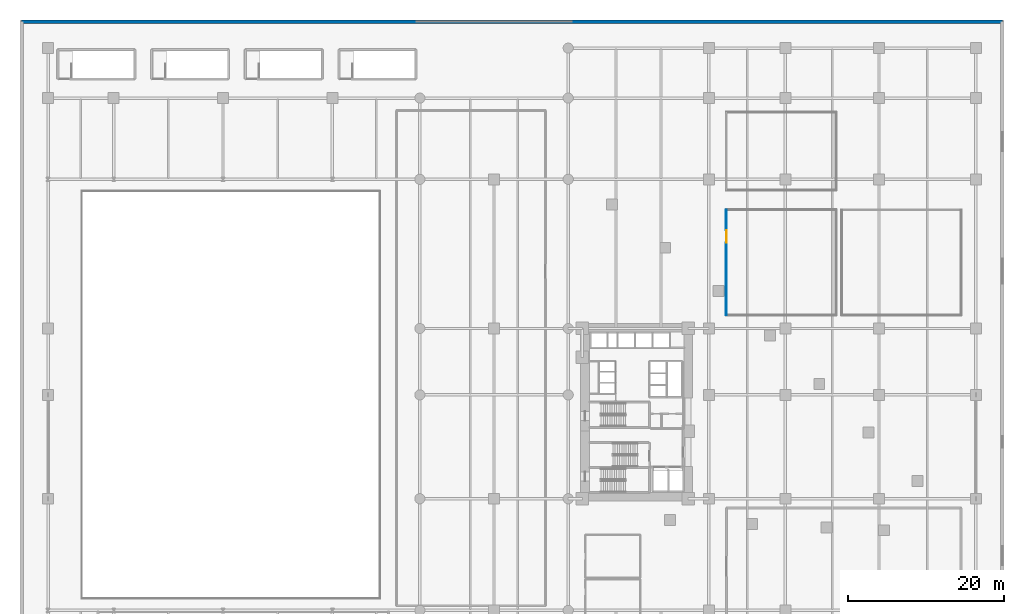
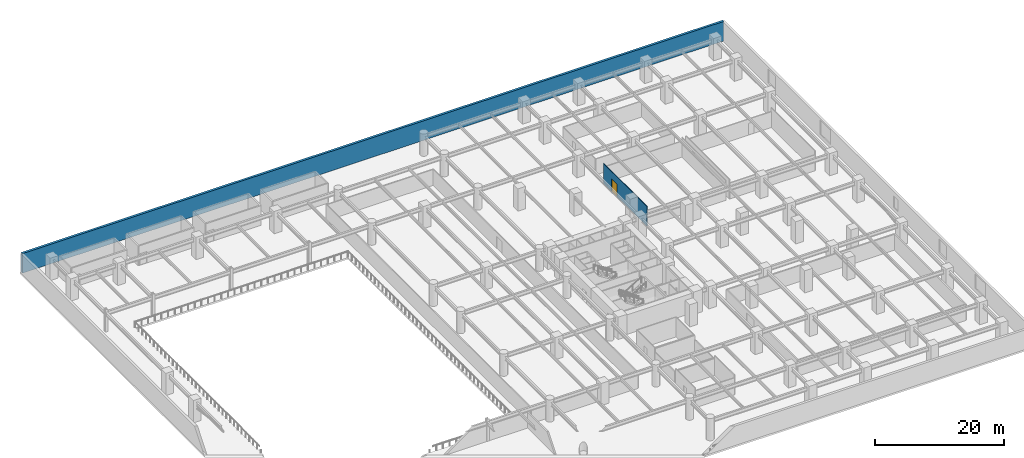
# One storey, part 14 of 20: 2 walls, 1 door, 1 opening.
"""IFC4 building model written with IfcOpenShell, lengths in metres."""

from ifc_helpers import new_model, si_unit, direction, frame, frame_2d, origin, place, context, subcontext, project, spatial, rectangle, extrude, material, layer, layer_set, type_object, element, fill, save


model = new_model("IFC4")

# Units and contexts
model_context = context("Model", 3, precision=1e-05, world=origin(), true_north=direction((0.0, 1.0)))
body_context = subcontext(model_context, "Body", "Model", "MODEL_VIEW")
ifc_project = project(units=[si_unit("LENGTHUNIT", "METRE"), si_unit("AREAUNIT", "SQUARE_METRE"), si_unit("VOLUMEUNIT", "CUBIC_METRE"), si_unit("PLANEANGLEUNIT", "RADIAN"), si_unit("MASSUNIT", "GRAM", prefix="KILO")], contexts=[model_context])

# Site, building, storey
site_placement = place(None, origin())
site = spatial("IfcSite", under=ifc_project, at=site_placement, CompositionType="ELEMENT")
building_placement = place(site_placement, origin())
building = spatial("IfcBuilding", under=site, at=building_placement, Name="Narakoshi Arena Tower", CompositionType="ELEMENT")
storey_placement = place(building_placement, frame((0.0, 0.0, 17.39990234375)))
storey = spatial("IfcBuildingStorey", under=building, at=storey_placement, Name="L04", CompositionType="ELEMENT", Elevation=17.39990234375)

# Wall, opening, door
ifc_material_1 = material(Name="Gypsum plasterboard fire-rated partition")
ifc_layer_1 = layer(ifc_material_1, 0.125)
ifc_layer_set_1 = layer_set([ifc_layer_1], Name="Gypsum plasterboard fire-rated partition")
wall_type_1 = type_object("IfcWallType", Name="WL-PART-125", PredefinedType="PARTITIONING", material=ifc_layer_set_1)
wall_1_placement = place(storey_placement, frame((90.449951171875, 71.699951171875, 0.0), z_axis=(0.0, 0.0, 1.0), x_axis=(0.0, -1.0, 0.0)))
wall_1 = element("IfcWall", 1, at=wall_1_placement, inside=storey, type_object=wall_type_1, Name="L04 Executive Conference Suite A Wall W", PredefinedType="PARTITIONING", context=body_context, shape_type="SweptSolid", body=[
    extrude(rectangle(XDim=13.5, YDim=0.125, at=frame_2d((6.75, 0.0))), origin(), (0.0, 0.0, 1.0), 3.7001953125),
])
opening_placement = place(wall_1_placement, frame((2.617919921875, 0.0, 0.0)))
opening = element("IfcOpeningElement", 2, at=opening_placement, cuts=wall_1, Name="Opening D-05", PredefinedType="OPENING", context=body_context, shape_type="SweptSolid", body=[
    extrude(rectangle(XDim=1.60009765625, YDim=2.300048828125, at=frame_2d((0.800048828125, 1.14990234375))), frame((0.0, 0.072509765625, 0.0), z_axis=(0.0, -1.0, 0.0), x_axis=(1.0, 0.0, 0.0)), (0.0, 0.0, 1.0), 0.14501953125),
])
ifc_material_2 = material(Name="Stained oak solid-core timber", Category="wood")
door_type = type_object("IfcDoorType", Name="DR-STE-1600", OperationType="DOUBLE_DOOR_SINGLE_SWING", PredefinedType="DOOR", material=ifc_material_2)
door_placement = place(opening_placement, frame((1.60009765625, 0.0, 0.0), z_axis=(0.0, 0.0, 1.0), x_axis=(-1.0, 0.0, 0.0)))
door = element("IfcDoor", 3, at=door_placement, inside=storey, type_object=door_type, Name="DR-L04-023", OperationType="DOUBLE_DOOR_SINGLE_SWING", OverallHeight=2.300048828125, OverallWidth=1.60009765625, PredefinedType="DOOR", context=body_context, shape_type="SweptSolid", body=[
    extrude(rectangle(XDim=1.60009765625, YDim=2.300048828125, at=frame_2d((0.800048828125, 1.14990234375))), frame((0.0, 0.02490234375, 0.0), z_axis=(0.0, -1.0, 0.0), x_axis=(1.0, 0.0, 0.0)), (0.0, 0.0, 1.0), 0.050048828125),
])
fill(opening, door)

# Wall
ifc_material_3 = material(Name="Precast concrete C45/55", Category="concrete")
ifc_layer_2 = layer(ifc_material_3, 0.419921875)
ifc_layer_set_2 = layer_set([ifc_layer_2], Name="Precast concrete C45/55")
wall_type_2 = type_object("IfcWallType", Name="WL-POD-420", PredefinedType="SOLIDWALL", material=ifc_layer_set_2)
wall_2_placement = place(storey_placement, frame((125.7900390625, 95.7900390625, 0.0), z_axis=(0.0, 0.0, 1.0), x_axis=(-1.0, 0.0, 0.0)))
element("IfcWall", 4, at=wall_2_placement, inside=storey, type_object=wall_type_2, Name="L04 Podium Precast Facade Wall N", PredefinedType="SOLIDWALL", context=body_context, shape_type="SweptSolid", body=[
    extrude(rectangle(XDim=125.580078125, YDim=0.419921875, at=frame_2d((62.7900390625, 0.0))), origin(), (0.0, 0.0, 1.0), 3.7001953125),
])

save(model, "model.ifc")
